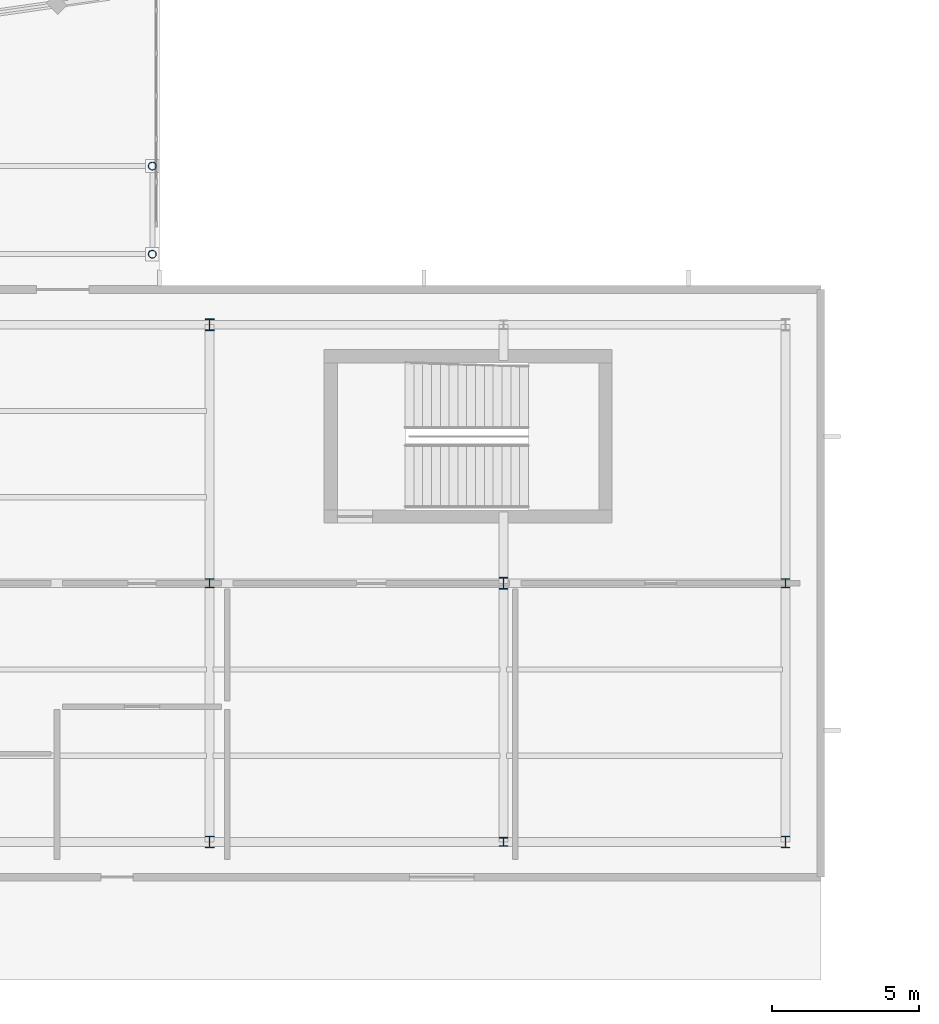
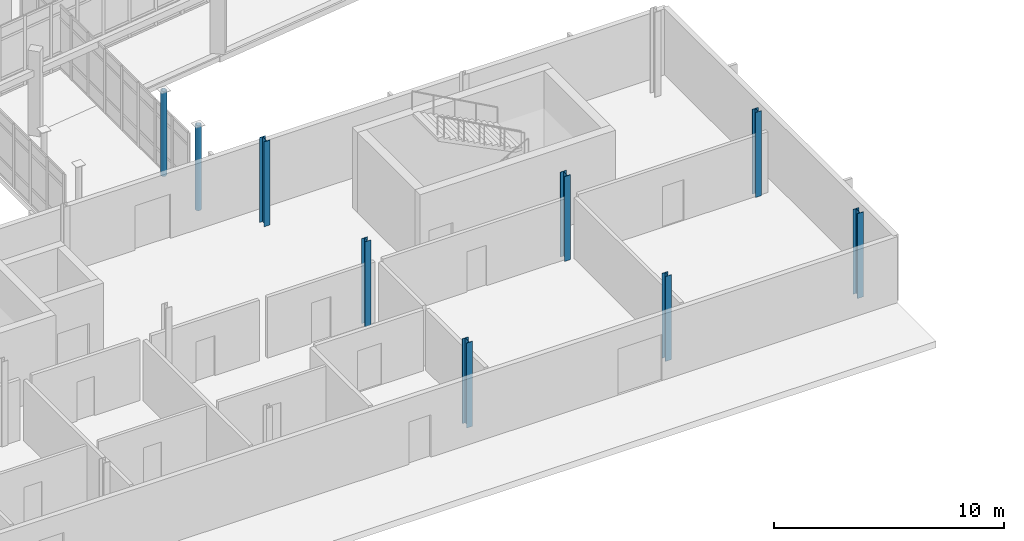
# One storey, part 18 of 122: 9 columns.
"""IFC4 building model written with IfcOpenShell, lengths in metres."""

from ifc_helpers import new_model, si_unit, direction, frame, origin, origin_2d, place, context, subcontext, project, spatial, hollow_circle, i_section, extrude, material, material_profile, profile_set, type_object, element, save


model = new_model("IFC4")

# Units and contexts
model_context = context("Model", 3, precision=1e-05, world=origin(), true_north=direction((0.0, 1.0)))
body_context = subcontext(model_context, "Body", "Model", "MODEL_VIEW")
ifc_project = project(units=[si_unit("LENGTHUNIT", "METRE"), si_unit("AREAUNIT", "SQUARE_METRE"), si_unit("VOLUMEUNIT", "CUBIC_METRE"), si_unit("PLANEANGLEUNIT", "RADIAN"), si_unit("MASSUNIT", "GRAM", prefix="KILO")], contexts=[model_context])

# Site, building, storey
site_placement = place(None, origin())
site = spatial("IfcSite", under=ifc_project, at=site_placement, CompositionType="ELEMENT")
building_placement = place(site_placement, origin())
building = spatial("IfcBuilding", under=site, at=building_placement, Name="Sohan Crest Arena", CompositionType="ELEMENT")
storey_placement = place(building_placement, origin())
storey = spatial("IfcBuildingStorey", under=building, at=storey_placement, Name="L00", CompositionType="ELEMENT", Elevation=0.0)

# Columns
ifc_material = material(Name="Steel S355", Category="steel")
ifc_material_profile_1 = material_profile(ifc_material, i_section(OverallWidth=0.300048828125, OverallDepth=0.300048828125, WebThickness=0.010986328125, FlangeThickness=0.01904296875, at=origin_2d()), Name="HEB 300")
ifc_profile_set_1 = profile_set([ifc_material_profile_1], Name="Steel S355")
column_type_1 = type_object("IfcColumnType", Name="STR-COL-C17", PredefinedType="COLUMN", material=ifc_profile_set_1)
for number, where, z_axis, x_axis, name in (
    (1, (143.199951171875, 16.0, 0.0), (0.0, 0.0, 1.0), (1.0, 0.0, 0.0), "Structural column COL-V5C-08-2-L00"),
    (2, (153.199951171875, 7.199951171875, 0.0), (0.0, 0.0, 1.0), (1.0, 0.0, 0.0), "Structural column COL-V5C-09-1-L00"),
    (3, (162.800048828125, 16.0, 0.0), (0.0, 0.0, 1.0), (1.0, 0.0, 0.0), "Structural column COL-V5C-10-2-L00"),
):
    element("IfcColumn", number, at=place(storey_placement, frame(where, z_axis=z_axis, x_axis=x_axis)), inside=storey, type_object=column_type_1, Name=name, PredefinedType="COLUMN", context=body_context, shape_type="SweptSolid", body=[
        extrude(i_section(OverallWidth=0.300048828125, OverallDepth=0.300048828125, WebThickness=0.010986328125, FlangeThickness=0.01904296875, at=origin_2d()), origin(), (0.0, 0.0, 1.0), 4.5),
    ])
ifc_material_profile_2 = material_profile(ifc_material, i_section(OverallWidth=0.300048828125, OverallDepth=0.39990234375, WebThickness=0.013427734375, FlangeThickness=0.02392578125, at=origin_2d()), Name="HEB 400")
ifc_profile_set_2 = profile_set([ifc_material_profile_2], Name="Steel S355")
column_type_2 = type_object("IfcColumnType", Name="STR-COL-C18", PredefinedType="COLUMN", material=ifc_profile_set_2)
for number, where, z_axis, x_axis, name in (
    (4, (143.199951171875, 7.199951171875, 0.0), (0.0, 0.0, 1.0), (1.0, 0.0, 0.0), "Structural column COL-V5C-08-1-L00"),
    (5, (143.199951171875, 24.800048828125, 0.0), (0.0, 0.0, 1.0), (1.0, 0.0, 0.0), "Structural column COL-V5C-08-3-L00"),
    (6, (153.199951171875, 16.0, 0.0), (0.0, 0.0, 1.0), (1.0, 0.0, 0.0), "Structural column COL-V5C-09-2-L00"),
    (7, (162.800048828125, 7.199951171875, 0.0), (0.0, 0.0, 1.0), (1.0, 0.0, 0.0), "Structural column COL-V5C-10-1-L00"),
):
    element("IfcColumn", number, at=place(storey_placement, frame(where, z_axis=z_axis, x_axis=x_axis)), inside=storey, type_object=column_type_2, Name=name, PredefinedType="COLUMN", context=body_context, shape_type="SweptSolid", body=[
        extrude(i_section(OverallWidth=0.300048828125, OverallDepth=0.39990234375, WebThickness=0.013427734375, FlangeThickness=0.02392578125, at=origin_2d()), origin(), (0.0, 0.0, 1.0), 4.5),
    ])
ifc_material_profile_3 = material_profile(ifc_material, hollow_circle(Radius=0.136474609375, WallThickness=0.012451171875, at=origin_2d()), Name="CHS 273x12.5")
ifc_profile_set_3 = profile_set([ifc_material_profile_3], Name="Steel S355")
column_type_3 = type_object("IfcColumnType", Name="STR-COL-C25", PredefinedType="COLUMN", material=ifc_profile_set_3)
for number, where, z_axis, x_axis, name in (
    (8, (141.25, 27.199951171875, 0.0), (0.0, 0.0, 1.0), (1.0, 0.0, 0.0), "Structural column COL-BC-BR-S2-3-L00"),
    (9, (141.25, 30.199951171875, 0.0), (0.0, 0.0, 1.0), (1.0, 0.0, 0.0), "Structural column COL-BC-BR-S2-4-L00"),
):
    element("IfcColumn", number, at=place(storey_placement, frame(where, z_axis=z_axis, x_axis=x_axis)), inside=storey, type_object=column_type_3, Name=name, PredefinedType="COLUMN", context=body_context, shape_type="SweptSolid", body=[
        extrude(hollow_circle(Radius=0.136474609375, WallThickness=0.012451171875, at=origin_2d()), origin(), (0.0, 0.0, 1.0), 4.5),
    ])

save(model, "model.ifc")
